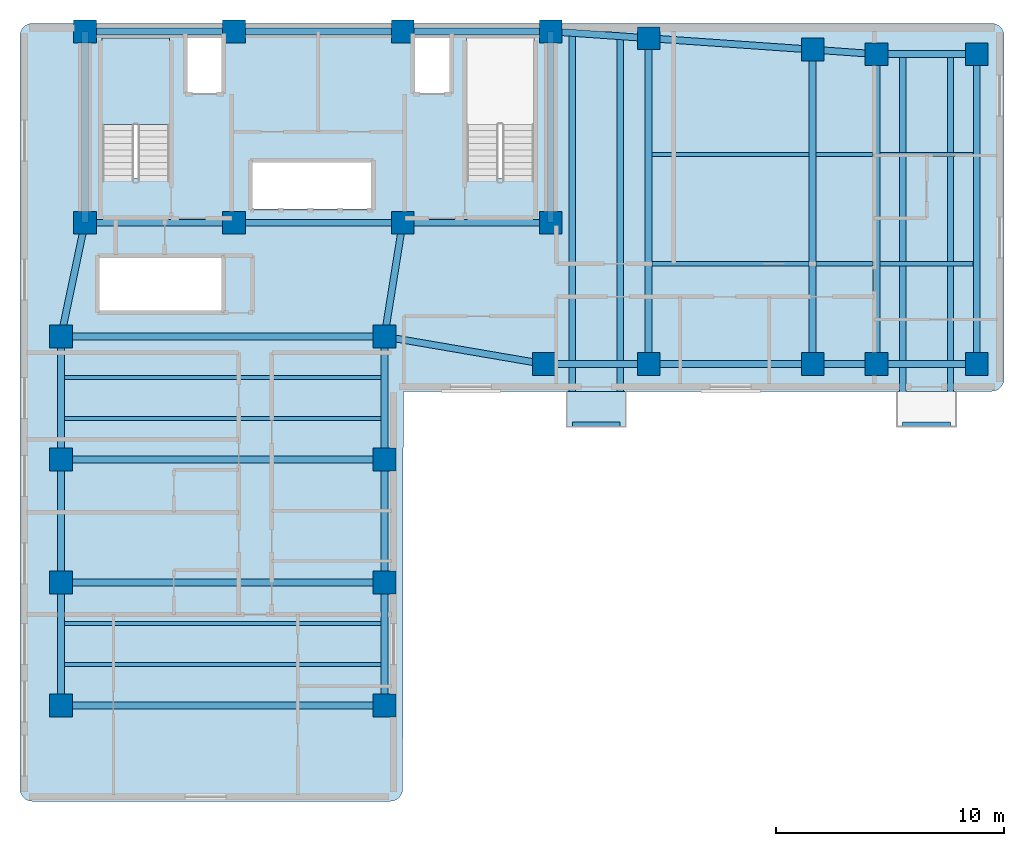
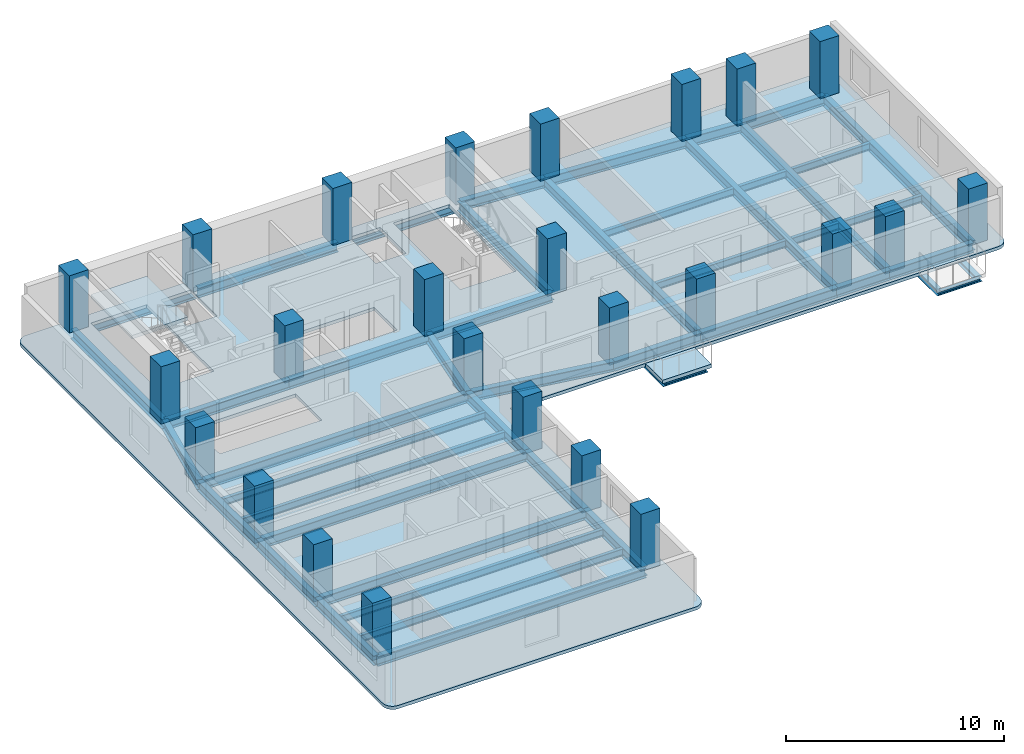
# One storey, part 1 of 7: 49 beams, 25 columns, 3 slabs, 1 element without a shape of its own.
"""IFC4 building model written with IfcOpenShell, lengths in metres."""

import ifcopenshell
import ifcopenshell.guid

model = None  # the IFC model being written
_history = None  # IfcOwnerHistory: only IFC2X3 demands one
_inside = {}  # id of a spatial element -> (the spatial element, [elements in it])
_under = {}  # id of a project, library or spatial element -> (it, [spatial elements below it])
_declared = {}  # id of a project -> (the project, [libraries it declares])
_typed = {}  # id of a type object -> (the type object, [elements of that type])
_made_of = {}  # id of a material, layer set ... -> (it, [elements and type objects made of it])


def new_model(schema):
    """Start an empty IFC model of exactly this schema.

    Asked for "IFC4X3", IfcOpenShell would pick the latest addendum, in which some entities
    have other attributes; the version numbers below select the first issue.
    IFC2X3 requires an IfcOwnerHistory on every rooted entity: one is made here for all.
    """
    global model, _history
    if schema == "IFC4X3":
        model = ifcopenshell.file(schema_version=(4, 3, 0, 0))
    else:
        model = ifcopenshell.file(schema=schema)
    _inside.clear()
    _under.clear()
    _declared.clear()
    _typed.clear()
    _made_of.clear()
    _history = None
    if model.schema == "IFC2X3":
        org = make("IfcOrganization", Name="unknown")
        user = make(
            "IfcPersonAndOrganization",
            ThePerson=make("IfcPerson", FamilyName="unknown"),
            TheOrganization=org,
        )
        app = make(
            "IfcApplication",
            ApplicationDeveloper=org,
            Version="unknown",
            ApplicationFullName="unknown",
            ApplicationIdentifier="unknown",
        )
        _history = make(
            "IfcOwnerHistory",
            OwningUser=user,
            OwningApplication=app,
            ChangeAction="ADDED",
            CreationDate=0,
        )
    return model


def make(cls, **values):
    """One entity of the class cls with the attributes given. An attribute that is None is left unset."""
    return model.create_entity(
        cls, **{name: value for name, value in values.items() if value is not None}
    )


def rooted(cls, **values):
    """An entity with a GlobalId (a new one), such as an element, a storey or a relation."""
    return make(cls, GlobalId=ifcopenshell.guid.new(), OwnerHistory=_history, **values)


def si_unit(unit_type, name, prefix=None):
    """IfcSIUnit, for example si_unit("LENGTHUNIT", "METRE", prefix="MILLI")."""
    return make("IfcSIUnit", UnitType=unit_type, Prefix=prefix, Name=name)


def assignment(units):
    """IfcUnitAssignment: the units of a project."""
    return None if units is None else make("IfcUnitAssignment", Units=units)


def point(xyz):
    """IfcCartesianPoint."""
    return None if xyz is None else make("IfcCartesianPoint", Coordinates=xyz)


def direction(xyz):
    """IfcDirection."""
    return None if xyz is None else make("IfcDirection", DirectionRatios=xyz)


def frame(location, z_axis=None, x_axis=None):
    """IfcAxis2Placement3D, a coordinate frame: its origin and axes. An axis left out is left unset."""
    return make(
        "IfcAxis2Placement3D",
        Location=point(location),
        Axis=direction(z_axis),
        RefDirection=direction(x_axis),
    )


def frame_2d(location, x_axis=None):
    """IfcAxis2Placement2D, a coordinate frame in the plane: its origin and x axis."""
    return make(
        "IfcAxis2Placement2D", Location=point(location), RefDirection=direction(x_axis)
    )


def origin():
    """The frame at (0, 0, 0) with its axes left unset."""
    return frame((0.0, 0.0, 0.0))


def origin_2d():
    """The frame at (0, 0) in the plane with its x axis left unset."""
    return frame_2d((0.0, 0.0))


def place(relative_to, where):
    """IfcLocalPlacement: puts the frame where relative to a parent placement (None: the world)."""
    return make(
        "IfcLocalPlacement", PlacementRelTo=relative_to, RelativePlacement=where
    )


def context(
    kind, dimensions, precision=None, world=None, true_north=None, identifier=None
):
    """IfcGeometricRepresentationContext, for example the 3D "Model" context."""
    return make(
        "IfcGeometricRepresentationContext",
        ContextIdentifier=identifier,
        ContextType=kind,
        CoordinateSpaceDimension=dimensions,
        Precision=precision,
        WorldCoordinateSystem=world,
        TrueNorth=true_north,
    )


def subcontext(parent, identifier, kind, view, scale=None):
    """IfcGeometricRepresentationSubContext, for example "Body" below "Model"."""
    return make(
        "IfcGeometricRepresentationSubContext",
        ContextIdentifier=identifier,
        ContextType=kind,
        ParentContext=parent,
        TargetScale=scale,
        TargetView=view,
    )


def project(units=None, contexts=None):
    """IfcProject with its units and contexts."""
    return rooted(
        "IfcProject",
        Name="project",
        RepresentationContexts=contexts,
        UnitsInContext=assignment(units),
    )


def spatial(cls, under=None, at=None, **own):
    """A site, building, storey or space (cls), placed at a placement, below another one or the project."""
    s = rooted(cls, ObjectPlacement=at, **own)
    if under is not None:
        _under.setdefault(under.id(), (under, []))[1].append(s)
    return s


def polyline(points):
    """IfcPolyline through the points."""
    return make("IfcPolyline", Points=[point(p) for p in points])


def profile(cls, at=None, kind="AREA", **sizes):
    """A parametric profile (cls). Its sizes go by their IFC names, for example OverallWidth=200.0."""
    return make(cls, ProfileType=kind, Position=at, **sizes)


def rectangle(**sizes):
    """IfcRectangleProfileDef."""
    return profile("IfcRectangleProfileDef", **sizes)


def i_section(**sizes):
    """IfcIShapeProfileDef."""
    return profile("IfcIShapeProfileDef", **sizes)


def outline(outer, holes=None, kind="AREA"):
    """IfcArbitraryClosedProfileDef: a profile drawn as a closed curve; with holes, ...WithVoids."""
    if holes is None:
        return make("IfcArbitraryClosedProfileDef", ProfileType=kind, OuterCurve=outer)
    return make(
        "IfcArbitraryProfileDefWithVoids",
        ProfileType=kind,
        OuterCurve=outer,
        InnerCurves=holes,
    )


def extrude(swept, where, along, depth):
    """IfcExtrudedAreaSolid: the profile swept, set in the frame where, extruded along a direction by depth."""
    return make(
        "IfcExtrudedAreaSolid",
        SweptArea=swept,
        Position=where,
        ExtrudedDirection=direction(along),
        Depth=depth,
    )


def shape(context_of_items, identifier, shape_type, items):
    """IfcShapeRepresentation: the items that make up one representation, for example the "Body"."""
    return make(
        "IfcShapeRepresentation",
        ContextOfItems=context_of_items,
        RepresentationIdentifier=identifier,
        RepresentationType=shape_type,
        Items=items,
    )


def material(Name=None, Category=None):
    """IfcMaterial."""
    return make("IfcMaterial", Name=Name, Category=Category)


def layer(
    of_material, thickness, ventilated=None, Name=None, Category=None, Priority=None
):
    """IfcMaterialLayer: one layer of a wall or slab, of a material (None: an air gap)."""
    return make(
        "IfcMaterialLayer",
        Material=of_material,
        LayerThickness=thickness,
        IsVentilated=ventilated,
        Name=Name,
        Category=Category,
        Priority=Priority,
    )


def layer_set(layers, Name=None):
    """IfcMaterialLayerSet."""
    return make("IfcMaterialLayerSet", MaterialLayers=layers, LayerSetName=Name)


def material_profile(
    of_material, cross_section, Name=None, Category=None, Priority=None
):
    """IfcMaterialProfile: a cross section and its material."""
    return make(
        "IfcMaterialProfile",
        Name=Name,
        Material=of_material,
        Profile=cross_section,
        Priority=Priority,
        Category=Category,
    )


def profile_set(profiles, Name=None, composite=None):
    """IfcMaterialProfileSet."""
    return make(
        "IfcMaterialProfileSet",
        Name=Name,
        MaterialProfiles=profiles,
        CompositeProfile=composite,
    )


def made_of(thing, what):
    """Note that an element or type object is made of a material, layer set ...; save() writes the relation."""
    if what is not None:
        _made_of.setdefault(what.id(), (what, []))[1].append(thing)
    return thing


def type_object(cls, material=None, **own):
    """A type object (cls), such as IfcWallType, which elements share."""
    return made_of(rooted(cls, **own), material)


def element(
    cls,
    number,
    at=None,
    inside=None,
    cuts=None,
    type_object=None,
    material=None,
    context=None,
    identifier="Body",
    shape_type=None,
    held_by="IfcProductDefinitionShape",
    body=None,
    shapes=None,
    **own,
):
    """One element of the class cls, such as IfcWall. Its Tag is "e" and its number.

    at: its placement. inside: the storey or other place that contains it. cuts: it is an
    opening in that element (IfcRelVoidsElement). A single representation is given by context,
    identifier, shape_type and body (its items); several are given by shapes. held_by: the class
    of the entity that holds the representations. save() writes the other relations.
    """
    e = rooted(cls, Tag="e%d" % number, ObjectPlacement=at, **own)
    if body is not None:
        shapes = [shape(context, identifier, shape_type, body)]
    if shapes is not None:
        e.Representation = make(held_by, Representations=shapes)
    if inside is not None:
        _inside.setdefault(inside.id(), (inside, []))[1].append(e)
    if cuts is not None:
        rooted(
            "IfcRelVoidsElement", RelatingBuildingElement=cuts, RelatedOpeningElement=e
        )
    if type_object is not None:
        _typed.setdefault(type_object.id(), (type_object, []))[1].append(e)
    return made_of(e, material)


def aggregate(whole, parts):
    """IfcRelAggregates: a whole, such as a stair, and the parts it consists of."""
    return rooted("IfcRelAggregates", RelatingObject=whole, RelatedObjects=parts)


def save(model, path):
    """Write the relations noted so far, then the file.

    IfcRelAggregates (storeys below a building ...), IfcRelContainedInSpatialStructure (elements
    in a storey), IfcRelDefinesByType, IfcRelAssociatesMaterial and IfcRelDeclares: one each for
    every whole, place, type object, material and project.
    """
    for whole, parts in _under.values():
        aggregate(whole, parts)
    for where, things in _inside.values():
        rooted(
            "IfcRelContainedInSpatialStructure",
            RelatedElements=things,
            RelatingStructure=where,
        )
    for kind, things in _typed.values():
        rooted("IfcRelDefinesByType", RelatedObjects=things, RelatingType=kind)
    for what, things in _made_of.values():
        rooted("IfcRelAssociatesMaterial", RelatedObjects=things, RelatingMaterial=what)
    for by, libraries in _declared.values():
        rooted("IfcRelDeclares", RelatingContext=by, RelatedDefinitions=libraries)
    model.write(path)


model = new_model("IFC4")

# Units and contexts
model_context = context("Model", 3, precision=1e-05, world=origin(), true_north=direction((0.0, 1.0)))
body_context = subcontext(model_context, "Body", "Model", "MODEL_VIEW")
ifc_project = project(units=[si_unit("LENGTHUNIT", "METRE"), si_unit("AREAUNIT", "SQUARE_METRE"), si_unit("VOLUMEUNIT", "CUBIC_METRE"), si_unit("PLANEANGLEUNIT", "RADIAN"), si_unit("MASSUNIT", "GRAM", prefix="KILO")], contexts=[model_context])

# Site, building, storey
site_placement = place(None, origin())
site = spatial("IfcSite", under=ifc_project, at=site_placement, CompositionType="ELEMENT")
building_placement = place(site_placement, origin())
building = spatial("IfcBuilding", under=site, at=building_placement, Name="Kuzgunbayir Cultural Tower", CompositionType="ELEMENT")
storey_placement = place(building_placement, frame((0.0, 0.0, 149.0)))
storey = spatial("IfcBuildingStorey", under=building, at=storey_placement, Name="L43", CompositionType="ELEMENT", Elevation=149.0)

# Columns
ifc_material_1 = material(Name="Concrete C50/60", Category="concrete")
ifc_material_profile_1 = material_profile(ifc_material_1, rectangle(XDim=1.0, YDim=1.0, at=origin_2d()), Name="RC 1000x1000")
ifc_profile_set_1 = profile_set([ifc_material_profile_1], Name="Concrete C50/60")
column_type_1 = type_object("IfcColumnType", Name="COL-CORE-1000", PredefinedType="COLUMN", material=ifc_profile_set_1)
for number, where, z_axis, x_axis, name in (
    (1, (6.449951171875, 33.800048828125, 0.0), (0.0, 0.0, 1.0), (1.0, 0.0, 0.0), "L43 T1 Core Boundary Column CC1-1"),
    (2, (13.0, 33.800048828125, 0.0), (0.0, 0.0, 1.0), (1.0, 0.0, 0.0), "L43 T1 Core Boundary Column CC1-2"),
    (3, (20.39990234375, 33.800048828125, 0.0), (0.0, 0.0, 1.0), (1.0, 0.0, 0.0), "L43 T1 Core Boundary Column CC1-3"),
    (4, (26.89990234375, 33.800048828125, 0.0), (0.0, 0.0, 1.0), (1.0, 0.0, 0.0), "L43 T1 Core Boundary Column CC1-4"),
    (5, (6.449951171875, 42.199951171875, 0.0), (0.0, 0.0, 1.0), (1.0, 0.0, 0.0), "L43 T1 Core Boundary Column CC1-5"),
    (6, (13.0, 42.199951171875, 0.0), (0.0, 0.0, 1.0), (1.0, 0.0, 0.0), "L43 T1 Core Boundary Column CC1-6"),
    (7, (20.39990234375, 42.199951171875, 0.0), (0.0, 0.0, 1.0), (1.0, 0.0, 0.0), "L43 T1 Core Boundary Column CC1-7"),
    (8, (26.89990234375, 42.199951171875, 0.0), (0.0, 0.0, 1.0), (1.0, 0.0, 0.0), "L43 T1 Core Boundary Column CC1-8"),
):
    element("IfcColumn", number, at=place(storey_placement, frame(where, z_axis=z_axis, x_axis=x_axis)), inside=storey, type_object=column_type_1, Name=name, PredefinedType="COLUMN", context=body_context, shape_type="SweptSolid", body=[
        extrude(rectangle(XDim=1.0, YDim=1.0, at=origin_2d()), origin(), (0.0, 0.0, 1.0), 3.199951171875),
    ])
ifc_material_profile_2 = material_profile(ifc_material_1, rectangle(XDim=1.0, YDim=1.0, at=origin_2d()), Name="RC 1000x1000")
ifc_profile_set_2 = profile_set([ifc_material_profile_2], Name="Concrete C50/60")
column_type_2 = type_object("IfcColumnType", Name="COL-T1-1000", PredefinedType="COLUMN", material=ifc_profile_set_2)
for number, where, z_axis, x_axis, name in (
    (9, (5.39990234375, 12.60009765625, 0.0), (0.0, 0.0, 1.0), (1.0, 0.0, 0.0), "L43 Tower 1 Wing A Column T1A-W-1"),
    (10, (19.60009765625, 12.60009765625, 0.0), (0.0, 0.0, 1.0), (1.0, 0.0, 0.0), "L43 Tower 1 Wing A Column T1A-E-1"),
    (11, (5.39990234375, 18.0, 0.0), (0.0, 0.0, 1.0), (1.0, 0.0, 0.0), "L43 Tower 1 Wing A Column T1A-W-2"),
    (12, (19.60009765625, 18.0, 0.0), (0.0, 0.0, 1.0), (1.0, 0.0, 0.0), "L43 Tower 1 Wing A Column T1A-E-2"),
    (13, (5.39990234375, 23.39990234375, 0.0), (0.0, 0.0, 1.0), (1.0, 0.0, 0.0), "L43 Tower 1 Wing A Column T1A-W-3"),
    (14, (19.60009765625, 23.39990234375, 0.0), (0.0, 0.0, 1.0), (1.0, 0.0, 0.0), "L43 Tower 1 Wing A Column T1A-E-3"),
    (15, (5.39990234375, 28.800048828125, 0.0), (0.0, 0.0, 1.0), (1.0, 0.0, 0.0), "L43 Tower 1 Wing A Column T1A-W-4"),
    (16, (19.60009765625, 28.800048828125, 0.0), (0.0, 0.0, 1.0), (1.0, 0.0, 0.0), "L43 Tower 1 Wing A Column T1A-E-4"),
    (17, (26.60009765625, 27.60009765625, 0.0), (0.0, 0.0, 1.0), (1.0, 0.0, 0.0), "L43 Tower 1 Wing B Column T1B-1-1"),
    (18, (31.199951171875, 27.60009765625, 0.0), (0.0, 0.0, 1.0), (1.0, 0.0, 0.0), "L43 Tower 1 Wing B Column T1B-2-1"),
    (19, (31.199951171875, 41.89990234375, 0.0), (0.0, 0.0, 1.0), (1.0, 0.0, 0.0), "L43 Tower 1 Wing B Column T1B-2-2"),
    (20, (38.39990234375, 27.60009765625, 0.0), (0.0, 0.0, 1.0), (1.0, 0.0, 0.0), "L43 Tower 1 Wing B Column T1B-3-1"),
    (21, (38.39990234375, 41.39990234375, 0.0), (0.0, 0.0, 1.0), (1.0, 0.0, 0.0), "L43 Tower 1 Wing B Column T1B-3-2"),
    (22, (41.199951171875, 27.60009765625, 0.0), (0.0, 0.0, 1.0), (1.0, 0.0, 0.0), "L43 Tower 1 Wing B Column T1B-4-1"),
    (23, (41.199951171875, 41.199951171875, 0.0), (0.0, 0.0, 1.0), (1.0, 0.0, 0.0), "L43 Tower 1 Wing B Column T1B-4-2"),
    (24, (45.60009765625, 27.60009765625, 0.0), (0.0, 0.0, 1.0), (1.0, 0.0, 0.0), "L43 Tower 1 Wing B Column T1B-5-1"),
    (25, (45.60009765625, 41.199951171875, 0.0), (0.0, 0.0, 1.0), (1.0, 0.0, 0.0), "L43 Tower 1 Wing B Column T1B-5-2"),
):
    element("IfcColumn", number, at=place(storey_placement, frame(where, z_axis=z_axis, x_axis=x_axis)), inside=storey, type_object=column_type_2, Name=name, PredefinedType="COLUMN", context=body_context, shape_type="SweptSolid", body=[
        extrude(rectangle(XDim=1.0, YDim=1.0, at=origin_2d()), origin(), (0.0, 0.0, 1.0), 3.199951171875),
    ])

# Beams
ifc_material_2 = material(Name="Steel S355J2", Category="steel")
ifc_material_profile_3 = material_profile(ifc_material_2, i_section(OverallWidth=0.280029296875, OverallDepth=0.280029296875, WebThickness=0.010498046875, FlangeThickness=0.01806640625, FilletRadius=0.02392578125, at=origin_2d()), Name="HEB 280")
ifc_profile_set_3 = profile_set([ifc_material_profile_3], Name="Steel S355J2")
beam_type_1 = type_object("IfcBeamType", Name="BM-BAL-HEB280", PredefinedType="BEAM", material=ifc_profile_set_3)
beam_1_placement = place(storey_placement, frame((27.85009765625, 24.9599609375, -0.340087890625), z_axis=(0.0, 1.0, 0.0), x_axis=(-1.0, 0.0, 0.0)))
element("IfcBeam", 26, at=beam_1_placement, inside=storey, type_object=beam_type_1, Name="L43 Balcony Outrigger Beam BAL-L43-WB1.1", PredefinedType="BEAM", context=body_context, shape_type="SweptSolid", body=[
    extrude(i_section(OverallWidth=0.280029296875, OverallDepth=0.280029296875, WebThickness=0.010498046875, FlangeThickness=0.01806640625, FilletRadius=0.02392578125, at=origin_2d()), origin(), (0.0, 0.0, 1.0), 17.169921875),
])
beam_2_placement = place(storey_placement, frame((29.949951171875, 24.9599609375, -0.340087890625), z_axis=(0.0, 1.0, 0.0), x_axis=(-1.0, 0.0, 0.0)))
element("IfcBeam", 27, at=beam_2_placement, inside=storey, type_object=beam_type_1, Name="L43 Balcony Outrigger Beam BAL-L43-WB1.2", PredefinedType="BEAM", context=body_context, shape_type="SweptSolid", body=[
    extrude(i_section(OverallWidth=0.280029296875, OverallDepth=0.280029296875, WebThickness=0.010498046875, FlangeThickness=0.01806640625, FilletRadius=0.02392578125, at=origin_2d()), origin(), (0.0, 0.0, 1.0), 17.030029296875),
])
for number, where, z_axis, x_axis, name in (
    (28, (42.35009765625, 24.9599609375, -0.340087890625), (0.0, 1.0, 0.0), (-1.0, 0.0, 0.0), "L43 Balcony Outrigger Beam BAL-L43-WB3.1"),
    (29, (44.449951171875, 24.9599609375, -0.340087890625), (0.0, 1.0, 0.0), (-1.0, 0.0, 0.0), "L43 Balcony Outrigger Beam BAL-L43-WB3.2"),
):
    element("IfcBeam", number, at=place(storey_placement, frame(where, z_axis=z_axis, x_axis=x_axis)), inside=storey, type_object=beam_type_1, Name=name, PredefinedType="BEAM", context=body_context, shape_type="SweptSolid", body=[
        extrude(i_section(OverallWidth=0.280029296875, OverallDepth=0.280029296875, WebThickness=0.010498046875, FlangeThickness=0.01806640625, FilletRadius=0.02392578125, at=origin_2d()), origin(), (0.0, 0.0, 1.0), 16.239990234375),
    ])
ifc_material_profile_4 = material_profile(ifc_material_2, i_section(OverallWidth=0.199951171875, OverallDepth=0.199951171875, WebThickness=0.009033203125, FlangeThickness=0.014892578125, FilletRadius=0.01806640625, at=origin_2d()), Name="HEB 200")
ifc_profile_set_4 = profile_set([ifc_material_profile_4], Name="Steel S355J2")
beam_type_2 = type_object("IfcBeamType", Name="BM-CAN-HEB200", PredefinedType="BEAM", material=ifc_profile_set_4)
for number, where, z_axis, x_axis, name in (
    (30, (27.85009765625, 24.9599609375, -0.300048828125), (1.0, 0.0, 0.0), (0.0, 1.0, 0.0), "L43 Balcony Edge Header BAL-L43-WB1"),
    (31, (42.35009765625, 24.9599609375, -0.300048828125), (1.0, 0.0, 0.0), (0.0, 1.0, 0.0), "L43 Balcony Edge Header BAL-L43-WB3"),
):
    element("IfcBeam", number, at=place(storey_placement, frame(where, z_axis=z_axis, x_axis=x_axis)), inside=storey, type_object=beam_type_2, Name=name, PredefinedType="BEAM", context=body_context, shape_type="SweptSolid", body=[
        extrude(i_section(OverallWidth=0.199951171875, OverallDepth=0.199951171875, WebThickness=0.009033203125, FlangeThickness=0.014892578125, FilletRadius=0.01806640625, at=origin_2d()), origin(), (0.0, 0.0, 1.0), 2.099853515625),
    ])
ifc_material_profile_5 = material_profile(ifc_material_2, i_section(OverallWidth=0.300048828125, OverallDepth=0.550048828125, WebThickness=0.014892578125, FlangeThickness=0.029052734375, FilletRadius=0.027099609375, at=origin_2d()), Name="HEB 550")
ifc_profile_set_5 = profile_set([ifc_material_profile_5], Name="Steel S355J2")
beam_type_3 = type_object("IfcBeamType", Name="BM-EXT-HEB550", PredefinedType="BEAM", material=ifc_profile_set_5)
for number, where, z_axis, x_axis, name in (
    (32, (5.39990234375, 12.60009765625, -0.4599609375), (0.0, 1.0, 0.0), (-1.0, 0.0, 0.0), "L43 Wing A West Girder 1"),
    (33, (19.60009765625, 12.60009765625, -0.4599609375), (0.0, 1.0, 0.0), (-1.0, 0.0, 0.0), "L43 Wing A East Girder 1"),
    (34, (5.39990234375, 18.0, -0.4599609375), (0.0, 1.0, 0.0), (-1.0, 0.0, 0.0), "L43 Wing A West Girder 2"),
    (35, (19.60009765625, 18.0, -0.4599609375), (0.0, 1.0, 0.0), (-1.0, 0.0, 0.0), "L43 Wing A East Girder 2"),
):
    element("IfcBeam", number, at=place(storey_placement, frame(where, z_axis=z_axis, x_axis=x_axis)), inside=storey, type_object=beam_type_3, Name=name, PredefinedType="BEAM", context=body_context, shape_type="SweptSolid", body=[
        extrude(i_section(OverallWidth=0.300048828125, OverallDepth=0.550048828125, WebThickness=0.014892578125, FlangeThickness=0.029052734375, FilletRadius=0.027099609375, at=origin_2d()), origin(), (0.0, 0.0, 1.0), 5.39990234375),
    ])
for number, where, z_axis, x_axis, name in (
    (36, (5.39990234375, 23.39990234375, -0.4599609375), (0.0, 1.0, 0.0), (-1.0, 0.0, 0.0), "L43 Wing A West Girder 3"),
    (37, (19.60009765625, 23.39990234375, -0.4599609375), (0.0, 1.0, 0.0), (-1.0, 0.0, 0.0), "L43 Wing A East Girder 3"),
):
    element("IfcBeam", number, at=place(storey_placement, frame(where, z_axis=z_axis, x_axis=x_axis)), inside=storey, type_object=beam_type_3, Name=name, PredefinedType="BEAM", context=body_context, shape_type="SweptSolid", body=[
        extrude(i_section(OverallWidth=0.300048828125, OverallDepth=0.550048828125, WebThickness=0.014892578125, FlangeThickness=0.029052734375, FilletRadius=0.027099609375, at=origin_2d()), origin(), (0.0, 0.0, 1.0), 5.400146484375),
    ])
beam_3_placement = place(storey_placement, frame((26.60009765625, 27.60009765625, -0.4599609375), z_axis=(1.0, 0.0, 0.0), x_axis=(0.0, 1.0, 0.0)))
element("IfcBeam", 38, at=beam_3_placement, inside=storey, type_object=beam_type_3, Name="L43 Wing B South Girder 1", PredefinedType="BEAM", context=body_context, shape_type="SweptSolid", body=[
    extrude(i_section(OverallWidth=0.300048828125, OverallDepth=0.550048828125, WebThickness=0.014892578125, FlangeThickness=0.029052734375, FilletRadius=0.027099609375, at=origin_2d()), origin(), (0.0, 0.0, 1.0), 4.599853515625),
])
beam_4_placement = place(storey_placement, frame((26.89990234375, 42.199951171875, -0.4599609375), z_axis=(0.997574369175, -0.069608749203, 0.0), x_axis=(0.069608749203, 0.997574369175, 0.0)))
element("IfcBeam", 39, at=beam_4_placement, inside=storey, type_object=beam_type_3, Name="L43 Wing B North Girder 1", PredefinedType="BEAM", context=body_context, shape_type="SweptSolid", body=[
    extrude(i_section(OverallWidth=0.300048828125, OverallDepth=0.550048828125, WebThickness=0.014892578125, FlangeThickness=0.029052734375, FilletRadius=0.027099609375, at=origin_2d()), origin(), (0.0, 0.0, 1.0), 4.310546875),
])
beam_5_placement = place(storey_placement, frame((31.199951171875, 27.60009765625, -0.4599609375), z_axis=(1.0, 0.0, 0.0), x_axis=(0.0, 1.0, 0.0)))
element("IfcBeam", 40, at=beam_5_placement, inside=storey, type_object=beam_type_3, Name="L43 Wing B South Girder 2", PredefinedType="BEAM", context=body_context, shape_type="SweptSolid", body=[
    extrude(i_section(OverallWidth=0.300048828125, OverallDepth=0.550048828125, WebThickness=0.014892578125, FlangeThickness=0.029052734375, FilletRadius=0.027099609375, at=origin_2d()), origin(), (0.0, 0.0, 1.0), 7.199951171875),
])
beam_6_placement = place(storey_placement, frame((31.199951171875, 41.89990234375, -0.4599609375), z_axis=(0.997597388498, -0.069278066245, 0.0), x_axis=(0.069278066245, 0.997597388498, 0.0)))
element("IfcBeam", 41, at=beam_6_placement, inside=storey, type_object=beam_type_3, Name="L43 Wing B North Girder 2", PredefinedType="BEAM", context=body_context, shape_type="SweptSolid", body=[
    extrude(i_section(OverallWidth=0.300048828125, OverallDepth=0.550048828125, WebThickness=0.014892578125, FlangeThickness=0.029052734375, FilletRadius=0.027099609375, at=origin_2d()), origin(), (0.0, 0.0, 1.0), 7.21728515625),
])
beam_7_placement = place(storey_placement, frame((38.39990234375, 27.60009765625, -0.4599609375), z_axis=(1.0, 0.0, 0.0), x_axis=(0.0, 1.0, 0.0)))
element("IfcBeam", 42, at=beam_7_placement, inside=storey, type_object=beam_type_3, Name="L43 Wing B South Girder 3", PredefinedType="BEAM", context=body_context, shape_type="SweptSolid", body=[
    extrude(i_section(OverallWidth=0.300048828125, OverallDepth=0.550048828125, WebThickness=0.014892578125, FlangeThickness=0.029052734375, FilletRadius=0.027099609375, at=origin_2d()), origin(), (0.0, 0.0, 1.0), 2.800048828125),
])
beam_8_placement = place(storey_placement, frame((38.39990234375, 41.39990234375, -0.4599609375), z_axis=(0.997460024076, -0.071228508128, 0.0), x_axis=(0.071228508128, 0.997460024076, 0.0)))
element("IfcBeam", 43, at=beam_8_placement, inside=storey, type_object=beam_type_3, Name="L43 Wing B North Girder 3", PredefinedType="BEAM", context=body_context, shape_type="SweptSolid", body=[
    extrude(i_section(OverallWidth=0.300048828125, OverallDepth=0.550048828125, WebThickness=0.014892578125, FlangeThickness=0.029052734375, FilletRadius=0.027099609375, at=origin_2d()), origin(), (0.0, 0.0, 1.0), 2.80712890625),
])
for number, where, z_axis, x_axis, name in (
    (44, (41.199951171875, 27.60009765625, -0.4599609375), (1.0, 0.0, 0.0), (0.0, 1.0, 0.0), "L43 Wing B South Girder 4"),
    (45, (41.199951171875, 41.199951171875, -0.4599609375), (1.0, 0.0, 0.0), (0.0, 1.0, 0.0), "L43 Wing B North Girder 4"),
):
    element("IfcBeam", number, at=place(storey_placement, frame(where, z_axis=z_axis, x_axis=x_axis)), inside=storey, type_object=beam_type_3, Name=name, PredefinedType="BEAM", context=body_context, shape_type="SweptSolid", body=[
        extrude(i_section(OverallWidth=0.300048828125, OverallDepth=0.550048828125, WebThickness=0.014892578125, FlangeThickness=0.029052734375, FilletRadius=0.027099609375, at=origin_2d()), origin(), (0.0, 0.0, 1.0), 4.400146484375),
    ])
ifc_material_profile_6 = material_profile(ifc_material_2, i_section(OverallWidth=0.300048828125, OverallDepth=0.550048828125, WebThickness=0.014892578125, FlangeThickness=0.029052734375, FilletRadius=0.027099609375, at=origin_2d()), Name="HEB 550")
ifc_profile_set_6 = profile_set([ifc_material_profile_6], Name="Steel S355J2")
beam_type_4 = type_object("IfcBeamType", Name="BM-GIR-HEB550", PredefinedType="BEAM", material=ifc_profile_set_6)
beam_9_placement = place(storey_placement, frame((6.449951171875, 33.800048828125, -0.4599609375), z_axis=(1.0, 0.0, 0.0), x_axis=(0.0, 1.0, 0.0)))
element("IfcBeam", 46, at=beam_9_placement, inside=storey, type_object=beam_type_4, Name="L43 Core South Girder 1", PredefinedType="BEAM", context=body_context, shape_type="SweptSolid", body=[
    extrude(i_section(OverallWidth=0.300048828125, OverallDepth=0.550048828125, WebThickness=0.014892578125, FlangeThickness=0.029052734375, FilletRadius=0.027099609375, at=origin_2d()), origin(), (0.0, 0.0, 1.0), 6.550048828125),
])
beam_10_placement = place(storey_placement, frame((13.0, 33.800048828125, -0.4599609375), z_axis=(1.0, 0.0, 0.0), x_axis=(0.0, 1.0, 0.0)))
element("IfcBeam", 47, at=beam_10_placement, inside=storey, type_object=beam_type_4, Name="L43 Core South Girder 2", PredefinedType="BEAM", context=body_context, shape_type="SweptSolid", body=[
    extrude(i_section(OverallWidth=0.300048828125, OverallDepth=0.550048828125, WebThickness=0.014892578125, FlangeThickness=0.029052734375, FilletRadius=0.027099609375, at=origin_2d()), origin(), (0.0, 0.0, 1.0), 7.39990234375),
])
beam_11_placement = place(storey_placement, frame((20.39990234375, 33.800048828125, -0.4599609375), z_axis=(1.0, 0.0, 0.0), x_axis=(0.0, 1.0, 0.0)))
element("IfcBeam", 48, at=beam_11_placement, inside=storey, type_object=beam_type_4, Name="L43 Core South Girder 3", PredefinedType="BEAM", context=body_context, shape_type="SweptSolid", body=[
    extrude(i_section(OverallWidth=0.300048828125, OverallDepth=0.550048828125, WebThickness=0.014892578125, FlangeThickness=0.029052734375, FilletRadius=0.027099609375, at=origin_2d()), origin(), (0.0, 0.0, 1.0), 6.5),
])
beam_12_placement = place(storey_placement, frame((6.449951171875, 42.199951171875, -0.4599609375), z_axis=(1.0, 0.0, 0.0), x_axis=(0.0, 1.0, 0.0)))
element("IfcBeam", 49, at=beam_12_placement, inside=storey, type_object=beam_type_4, Name="L43 Core North Girder 1", PredefinedType="BEAM", context=body_context, shape_type="SweptSolid", body=[
    extrude(i_section(OverallWidth=0.300048828125, OverallDepth=0.550048828125, WebThickness=0.014892578125, FlangeThickness=0.029052734375, FilletRadius=0.027099609375, at=origin_2d()), origin(), (0.0, 0.0, 1.0), 6.550048828125),
])
beam_13_placement = place(storey_placement, frame((13.0, 42.199951171875, -0.4599609375), z_axis=(1.0, 0.0, 0.0), x_axis=(0.0, 1.0, 0.0)))
element("IfcBeam", 50, at=beam_13_placement, inside=storey, type_object=beam_type_4, Name="L43 Core North Girder 2", PredefinedType="BEAM", context=body_context, shape_type="SweptSolid", body=[
    extrude(i_section(OverallWidth=0.300048828125, OverallDepth=0.550048828125, WebThickness=0.014892578125, FlangeThickness=0.029052734375, FilletRadius=0.027099609375, at=origin_2d()), origin(), (0.0, 0.0, 1.0), 7.39990234375),
])
beam_14_placement = place(storey_placement, frame((20.39990234375, 42.199951171875, -0.4599609375), z_axis=(1.0, 0.0, 0.0), x_axis=(0.0, 1.0, 0.0)))
element("IfcBeam", 51, at=beam_14_placement, inside=storey, type_object=beam_type_4, Name="L43 Core North Girder 3", PredefinedType="BEAM", context=body_context, shape_type="SweptSolid", body=[
    extrude(i_section(OverallWidth=0.300048828125, OverallDepth=0.550048828125, WebThickness=0.014892578125, FlangeThickness=0.029052734375, FilletRadius=0.027099609375, at=origin_2d()), origin(), (0.0, 0.0, 1.0), 6.5),
])
for number, where, z_axis, x_axis, name in (
    (52, (6.449951171875, 33.800048828125, -0.4599609375), (0.0, 1.0, 0.0), (-1.0, 0.0, 0.0), "L43 Core West Edge Girder"),
    (53, (26.89990234375, 33.800048828125, -0.4599609375), (0.0, 1.0, 0.0), (-1.0, 0.0, 0.0), "L43 Core East Edge Girder"),
):
    element("IfcBeam", number, at=place(storey_placement, frame(where, z_axis=z_axis, x_axis=x_axis)), inside=storey, type_object=beam_type_4, Name=name, PredefinedType="BEAM", context=body_context, shape_type="SweptSolid", body=[
        extrude(i_section(OverallWidth=0.300048828125, OverallDepth=0.550048828125, WebThickness=0.014892578125, FlangeThickness=0.029052734375, FilletRadius=0.027099609375, at=origin_2d()), origin(), (0.0, 0.0, 1.0), 8.39990234375),
    ])
for number, where, z_axis, x_axis, name in (
    (54, (5.39990234375, 12.60009765625, -0.4599609375), (1.0, 0.0, 0.0), (0.0, 1.0, 0.0), "L43 Wing A Transverse Girder 1"),
    (55, (5.39990234375, 18.0, -0.4599609375), (1.0, 0.0, 0.0), (0.0, 1.0, 0.0), "L43 Wing A Transverse Girder 2"),
    (56, (5.39990234375, 23.39990234375, -0.4599609375), (1.0, 0.0, 0.0), (0.0, 1.0, 0.0), "L43 Wing A Transverse Girder 3"),
    (57, (5.39990234375, 28.800048828125, -0.4599609375), (1.0, 0.0, 0.0), (0.0, 1.0, 0.0), "L43 Wing A Transverse Girder 4"),
):
    element("IfcBeam", number, at=place(storey_placement, frame(where, z_axis=z_axis, x_axis=x_axis)), inside=storey, type_object=beam_type_4, Name=name, PredefinedType="BEAM", context=body_context, shape_type="SweptSolid", body=[
        extrude(i_section(OverallWidth=0.300048828125, OverallDepth=0.550048828125, WebThickness=0.014892578125, FlangeThickness=0.029052734375, FilletRadius=0.027099609375, at=origin_2d()), origin(), (0.0, 0.0, 1.0), 14.2001953125),
    ])
beam_15_placement = place(storey_placement, frame((5.39990234375, 28.800048828125, -0.4599609375), z_axis=(0.205526387753, 0.978651574329, 0.0), x_axis=(-0.978651574329, 0.205526387753, 0.0)))
element("IfcBeam", 58, at=beam_15_placement, inside=storey, type_object=beam_type_4, Name="L43 Wing A West Core Floor Girder", PredefinedType="BEAM", context=body_context, shape_type="SweptSolid", body=[
    extrude(i_section(OverallWidth=0.300048828125, OverallDepth=0.550048828125, WebThickness=0.014892578125, FlangeThickness=0.029052734375, FilletRadius=0.027099609375, at=origin_2d()), origin(), (0.0, 0.0, 1.0), 5.109130859375),
])
beam_16_placement = place(storey_placement, frame((19.60009765625, 28.800048828125, -0.4599609375), z_axis=(0.157952891656, 0.987446648694, 0.0), x_axis=(-0.987446648694, 0.157952891656, 0.0)))
element("IfcBeam", 59, at=beam_16_placement, inside=storey, type_object=beam_type_4, Name="L43 Wing A East Core Floor Girder", PredefinedType="BEAM", context=body_context, shape_type="SweptSolid", body=[
    extrude(i_section(OverallWidth=0.300048828125, OverallDepth=0.550048828125, WebThickness=0.014892578125, FlangeThickness=0.029052734375, FilletRadius=0.027099609375, at=origin_2d()), origin(), (0.0, 0.0, 1.0), 5.0634765625),
])
beam_17_placement = place(storey_placement, frame((31.199951171875, 27.60009765625, -0.4599609375), z_axis=(0.0, 1.0, 0.0), x_axis=(-1.0, 0.0, 0.0)))
element("IfcBeam", 60, at=beam_17_placement, inside=storey, type_object=beam_type_4, Name="L43 Wing B Cross Girder 31", PredefinedType="BEAM", context=body_context, shape_type="SweptSolid", body=[
    extrude(i_section(OverallWidth=0.300048828125, OverallDepth=0.550048828125, WebThickness=0.014892578125, FlangeThickness=0.029052734375, FilletRadius=0.027099609375, at=origin_2d()), origin(), (0.0, 0.0, 1.0), 14.2998046875),
])
beam_18_placement = place(storey_placement, frame((38.39990234375, 27.60009765625, -0.4599609375), z_axis=(0.0, 1.0, 0.0), x_axis=(-1.0, 0.0, 0.0)))
element("IfcBeam", 61, at=beam_18_placement, inside=storey, type_object=beam_type_4, Name="L43 Wing B Cross Girder 38", PredefinedType="BEAM", context=body_context, shape_type="SweptSolid", body=[
    extrude(i_section(OverallWidth=0.300048828125, OverallDepth=0.550048828125, WebThickness=0.014892578125, FlangeThickness=0.029052734375, FilletRadius=0.027099609375, at=origin_2d()), origin(), (0.0, 0.0, 1.0), 13.7998046875),
])
for number, where, z_axis, x_axis, name in (
    (62, (41.199951171875, 27.60009765625, -0.4599609375), (0.0, 1.0, 0.0), (-1.0, 0.0, 0.0), "L43 Wing B Cross Girder 41"),
    (63, (45.60009765625, 27.60009765625, -0.4599609375), (0.0, 1.0, 0.0), (-1.0, 0.0, 0.0), "L43 Wing B Cross Girder 45"),
):
    element("IfcBeam", number, at=place(storey_placement, frame(where, z_axis=z_axis, x_axis=x_axis)), inside=storey, type_object=beam_type_4, Name=name, PredefinedType="BEAM", context=body_context, shape_type="SweptSolid", body=[
        extrude(i_section(OverallWidth=0.300048828125, OverallDepth=0.550048828125, WebThickness=0.014892578125, FlangeThickness=0.029052734375, FilletRadius=0.027099609375, at=origin_2d()), origin(), (0.0, 0.0, 1.0), 13.599853515625),
    ])
beam_19_placement = place(storey_placement, frame((19.60009765625, 28.800048828125, -0.4599609375), z_axis=(0.985623399742, -0.168957136221, 0.0), x_axis=(0.168957136221, 0.985623399742, 0.0)))
element("IfcBeam", 64, at=beam_19_placement, inside=storey, type_object=beam_type_4, Name="L43 Wing B Waist Tie Girder", PredefinedType="BEAM", context=body_context, shape_type="SweptSolid", body=[
    extrude(i_section(OverallWidth=0.300048828125, OverallDepth=0.550048828125, WebThickness=0.014892578125, FlangeThickness=0.029052734375, FilletRadius=0.027099609375, at=origin_2d()), origin(), (0.0, 0.0, 1.0), 7.10205078125),
])
ifc_material_profile_7 = material_profile(ifc_material_2, i_section(OverallWidth=0.179931640625, OverallDepth=0.39990234375, WebThickness=0.008544921875, FlangeThickness=0.013427734375, FilletRadius=0.02099609375, at=origin_2d()), Name="IPE 400")
ifc_profile_set_7 = profile_set([ifc_material_profile_7], Name="Steel S355J2")
beam_type_5 = type_object("IfcBeamType", Name="BM-JST-IPE400", PredefinedType="JOIST", material=ifc_profile_set_7)
for number, where, z_axis, x_axis, name in (
    (65, (5.550048828125, 14.39990234375, -0.3798828125), (1.0, 0.0, 0.0), (0.0, 1.0, 0.0), "L43 Wing A Secondary Joist 1"),
    (66, (5.550048828125, 16.199951171875, -0.3798828125), (1.0, 0.0, 0.0), (0.0, 1.0, 0.0), "L43 Wing A Secondary Joist 2"),
    (67, (5.550048828125, 25.199951171875, -0.3798828125), (1.0, 0.0, 0.0), (0.0, 1.0, 0.0), "L43 Wing A Secondary Joist 5"),
    (68, (5.550048828125, 27.0, -0.3798828125), (1.0, 0.0, 0.0), (0.0, 1.0, 0.0), "L43 Wing A Secondary Joist 6"),
):
    element("IfcBeam", number, at=place(storey_placement, frame(where, z_axis=z_axis, x_axis=x_axis)), inside=storey, type_object=beam_type_5, Name=name, PredefinedType="JOIST", context=body_context, shape_type="SweptSolid", body=[
        extrude(i_section(OverallWidth=0.179931640625, OverallDepth=0.39990234375, WebThickness=0.008544921875, FlangeThickness=0.013427734375, FilletRadius=0.02099609375, at=origin_2d()), origin(), (0.0, 0.0, 1.0), 13.89990234375),
    ])
for number, where, z_axis, x_axis, name in (
    (69, (31.35009765625, 32.0, -0.3798828125), (1.0, 0.0, 0.0), (0.0, 1.0, 0.0), "L43 Wing B Secondary Joist 1.1"),
    (70, (31.35009765625, 36.800048828125, -0.3798828125), (1.0, 0.0, 0.0), (0.0, 1.0, 0.0), "L43 Wing B Secondary Joist 1.2"),
):
    element("IfcBeam", number, at=place(storey_placement, frame(where, z_axis=z_axis, x_axis=x_axis)), inside=storey, type_object=beam_type_5, Name=name, PredefinedType="JOIST", context=body_context, shape_type="SweptSolid", body=[
        extrude(i_section(OverallWidth=0.179931640625, OverallDepth=0.39990234375, WebThickness=0.008544921875, FlangeThickness=0.013427734375, FilletRadius=0.02099609375, at=origin_2d()), origin(), (0.0, 0.0, 1.0), 6.89990234375),
    ])
for number, where, z_axis, x_axis, name in (
    (71, (38.550048828125, 32.0, -0.3798828125), (1.0, 0.0, 0.0), (0.0, 1.0, 0.0), "L43 Wing B Secondary Joist 2.1"),
    (72, (38.550048828125, 36.800048828125, -0.3798828125), (1.0, 0.0, 0.0), (0.0, 1.0, 0.0), "L43 Wing B Secondary Joist 2.2"),
):
    element("IfcBeam", number, at=place(storey_placement, frame(where, z_axis=z_axis, x_axis=x_axis)), inside=storey, type_object=beam_type_5, Name=name, PredefinedType="JOIST", context=body_context, shape_type="SweptSolid", body=[
        extrude(i_section(OverallWidth=0.179931640625, OverallDepth=0.39990234375, WebThickness=0.008544921875, FlangeThickness=0.013427734375, FilletRadius=0.02099609375, at=origin_2d()), origin(), (0.0, 0.0, 1.0), 2.5),
    ])
for number, where, z_axis, x_axis, name in (
    (73, (41.35009765625, 32.0, -0.3798828125), (1.0, 0.0, 0.0), (0.0, 1.0, 0.0), "L43 Wing B Secondary Joist 3.1"),
    (74, (41.35009765625, 36.800048828125, -0.3798828125), (1.0, 0.0, 0.0), (0.0, 1.0, 0.0), "L43 Wing B Secondary Joist 3.2"),
):
    element("IfcBeam", number, at=place(storey_placement, frame(where, z_axis=z_axis, x_axis=x_axis)), inside=storey, type_object=beam_type_5, Name=name, PredefinedType="JOIST", context=body_context, shape_type="SweptSolid", body=[
        extrude(i_section(OverallWidth=0.179931640625, OverallDepth=0.39990234375, WebThickness=0.008544921875, FlangeThickness=0.013427734375, FilletRadius=0.02099609375, at=origin_2d()), origin(), (0.0, 0.0, 1.0), 4.099853515625),
    ])

# Slab
ifc_material_3 = material(Name="Concrete C40/50", Category="concrete")
ifc_layer_1 = layer(ifc_material_3, 0.199951171875)
ifc_layer_set_1 = layer_set([ifc_layer_1], Name="Concrete C40/50")
slab_type_1 = type_object("IfcSlabType", Name="SLB-BAL-STONE", PredefinedType="FLOOR", material=ifc_layer_set_1)
slab_1_placement = place(storey_placement, frame((0.0, 0.0, -0.199951171875)))
element("IfcSlab", 75, at=slab_1_placement, inside=storey, type_object=slab_type_1, Name="L43 Projecting Limestone Balcony BAL-L43-WB1", PredefinedType="FLOOR", context=body_context, shape_type="SweptSolid", body=[
    extrude(outline(polyline([(27.60009765625, 24.840087890625), (30.199951171875, 24.840087890625), (30.199951171875, 26.39990234375), (27.60009765625, 26.39990234375), (27.60009765625, 24.840087890625)])), origin(), (0.0, 0.0, 1.0), 0.199951171875),
])

# Stair, slab
stair_type = type_object("IfcStairType", Name="STR-EXIT-CORE", PredefinedType="HALF_TURN_STAIR", material=ifc_material_3)
stair_placement = place(storey_placement, origin())
stair = element("IfcStair", 76, at=stair_placement, inside=storey, type_object=stair_type, Name="L43 ST-1", PredefinedType="HALF_TURN_STAIR")
ifc_layer_2 = layer(ifc_material_3, 0.179931640625)
ifc_layer_set_2 = layer_set([ifc_layer_2], Name="Concrete C40/50")
slab_type_2 = type_object("IfcSlabType", Name="SLB-LANDING-180", PredefinedType="LANDING", material=ifc_layer_set_2)
slab_2_placement = place(storey_placement, frame((0.0, 0.0, 1.39990234375)))
slab_2 = element("IfcSlab", 77, at=slab_2_placement, type_object=slab_type_2, Name="ST-1 landing 1", PredefinedType="LANDING", context=body_context, shape_type="SweptSolid", body=[
    extrude(outline(polyline([(10.159912109375, 38.1201171875), (10.159912109375, 41.89990234375), (7.199951171875, 41.89990234375), (7.199951171875, 38.1201171875), (10.159912109375, 38.1201171875)])), origin(), (0.0, 0.0, 1.0), 0.2001953125),
])
aggregate(stair, [slab_2])

# Slab
ifc_layer_3 = layer(ifc_material_3, 0.179931640625)
ifc_layer_set_3 = layer_set([ifc_layer_3], Name="Concrete C40/50")
slab_type_3 = type_object("IfcSlabType", Name="SLB-TYP-180", PredefinedType="FLOOR", material=ifc_layer_set_3)
slab_3_placement = place(storey_placement, frame((0.0, 0.0, -0.179931640625)))
element("IfcSlab", 78, at=slab_3_placement, inside=storey, type_object=slab_type_3, Name="L43 Tower 1 Floor Slab T1-MAIN", PredefinedType="FLOOR", context=body_context, shape_type="SweptSolid", body=[
    extrude(outline(polyline([(20.39990234375, 8.949951171875), (20.389892578125, 8.840087890625), (20.360107421875, 8.739990234375), (20.31005859375, 8.639892578125), (20.239990234375, 8.56005859375), (20.159912109375, 8.489990234375), (20.06005859375, 8.43994140625), (19.9599609375, 8.409912109375), (19.85009765625, 8.39990234375), (4.14990234375, 8.39990234375), (4.0400390625, 8.409912109375), (3.93994140625, 8.43994140625), (3.840087890625, 8.489990234375), (3.760009765625, 8.56005859375), (3.68994140625, 8.639892578125), (3.639892578125, 8.739990234375), (3.610107421875, 8.840087890625), (3.60009765625, 8.949951171875), (3.60009765625, 42.0), (3.610107421875, 42.110107421875), (3.639892578125, 42.2099609375), (3.68994140625, 42.31005859375), (3.760009765625, 42.389892578125), (3.840087890625, 42.4599609375), (3.93994140625, 42.510009765625), (4.0400390625, 42.5400390625), (4.14990234375, 42.550048828125), (46.25, 42.550048828125), (46.360107421875, 42.5400390625), (46.4599609375, 42.510009765625), (46.56005859375, 42.4599609375), (46.639892578125, 42.389892578125), (46.7099609375, 42.31005859375), (46.760009765625, 42.2099609375), (46.7900390625, 42.110107421875), (46.800048828125, 42.0), (46.800048828125, 26.949951171875), (46.7900390625, 26.840087890625), (46.760009765625, 26.739990234375), (46.7099609375, 26.639892578125), (46.639892578125, 26.56005859375), (46.56005859375, 26.489990234375), (46.4599609375, 26.43994140625), (46.360107421875, 26.409912109375), (46.25, 26.39990234375), (20.429931640625, 26.39990234375), (20.39990234375, 8.949951171875)]), holes=[polyline([(7.199951171875, 35.760009765625), (7.199951171875, 41.89990234375), (10.159912109375, 41.89990234375), (10.159912109375, 35.760009765625), (7.199951171875, 35.760009765625)]), polyline([(23.199951171875, 35.760009765625), (23.199951171875, 41.89990234375), (26.159912109375, 41.89990234375), (26.159912109375, 35.760009765625), (23.199951171875, 35.760009765625)]), polyline([(13.75, 34.39990234375), (13.75, 36.5), (19.080078125, 36.5), (19.080078125, 34.39990234375), (13.75, 34.39990234375)]), polyline([(7.10009765625, 29.89990234375), (7.10009765625, 32.300048828125), (12.5, 32.300048828125), (12.5, 29.89990234375), (7.10009765625, 29.89990234375)]), polyline([(10.89990234375, 39.5), (10.89990234375, 41.89990234375), (12.5, 41.89990234375), (12.5, 39.5), (10.89990234375, 39.5)]), polyline([(20.89990234375, 39.5), (20.89990234375, 41.89990234375), (22.5, 41.89990234375), (22.5, 39.5), (20.89990234375, 39.5)])]), origin(), (0.0, 0.0, 1.0), 0.179931640625),
])

save(model, "model.ifc")
